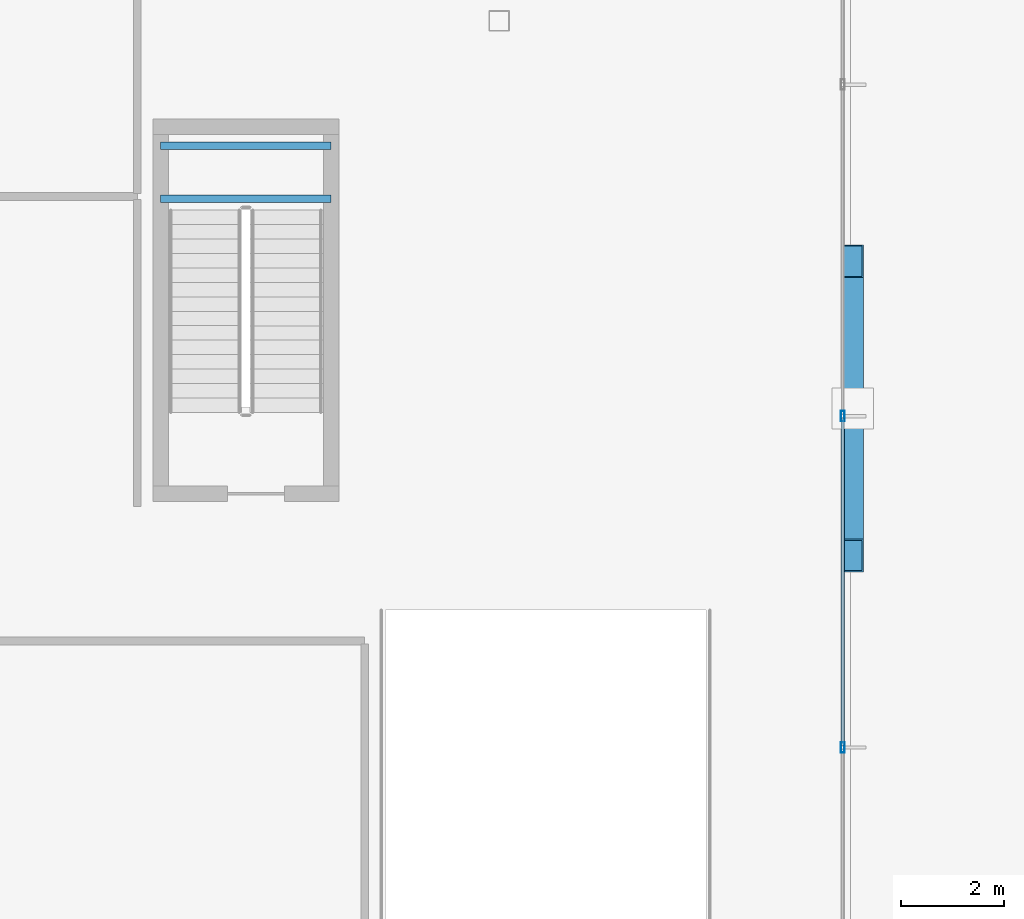
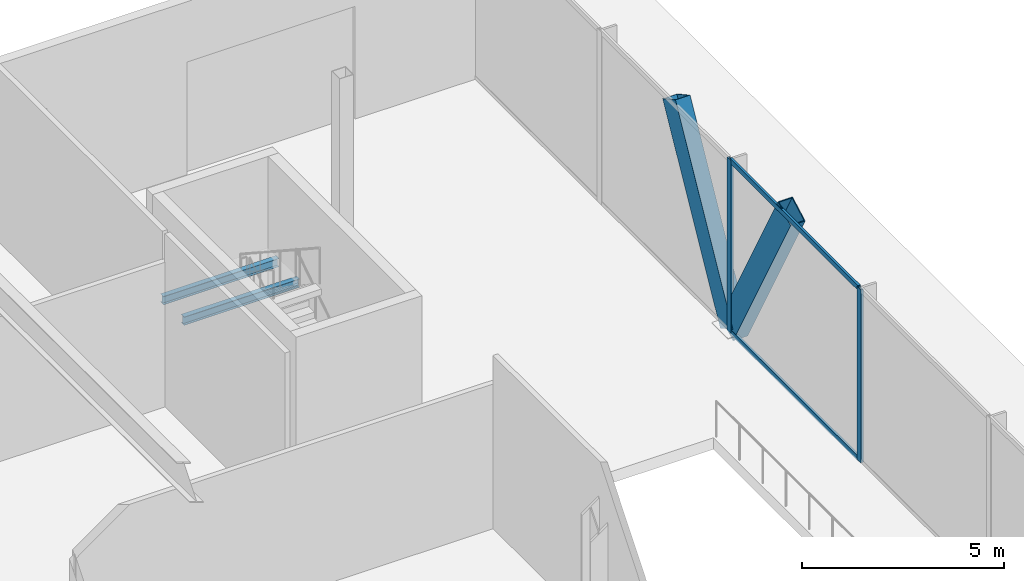
# One storey, part 22 of 38: 6 members, 2 beams, 1 element without a shape of its own.
"""IFC4 building model written with IfcOpenShell, lengths in metres."""

from ifc_helpers import new_model, si_unit, direction, frame, origin, origin_2d, place, context, subcontext, project, spatial, hollow_rectangle, i_section, extrude, material, layer, layer_set, material_profile, profile_set, type_object, element, aggregate, save


model = new_model("IFC4")

# Units and contexts
model_context = context("Model", 3, precision=1e-05, world=origin(), true_north=direction((0.0, 1.0)))
body_context = subcontext(model_context, "Body", "Model", "MODEL_VIEW")
ifc_project = project(units=[si_unit("LENGTHUNIT", "METRE"), si_unit("AREAUNIT", "SQUARE_METRE"), si_unit("VOLUMEUNIT", "CUBIC_METRE"), si_unit("PLANEANGLEUNIT", "RADIAN"), si_unit("MASSUNIT", "GRAM", prefix="KILO")], contexts=[model_context])

# Site, building, storey
site_placement = place(None, origin())
site = spatial("IfcSite", under=ifc_project, at=site_placement, CompositionType="ELEMENT")
building_placement = place(site_placement, origin())
building = spatial("IfcBuilding", under=site, at=building_placement, Name="Orvanel Arch Residences", CompositionType="ELEMENT")
storey_placement = place(building_placement, origin())
storey = spatial("IfcBuildingStorey", under=building, at=storey_placement, Name="L00", CompositionType="ELEMENT", Elevation=0.0)

# Beams
ifc_material_1 = material(Name="Structural steel AS/NZS 3679.1 Grade 300 (300 MPa)", Category="steel")
ifc_material_profile_1 = material_profile(ifc_material_1, i_section(OverallWidth=0.14599609375, OverallDepth=0.251953125, WebThickness=0.006103515625, FlangeThickness=0.008544921875, at=origin_2d()), Name="250UB31.4")
ifc_profile_set_1 = profile_set([ifc_material_profile_1], Name="Structural steel AS/NZS 3679.1 Grade 300 (300 MPa)")
beam_type = type_object("IfcBeamType", Name="BJ-250UB", PredefinedType="JOIST", material=ifc_profile_set_1)
for number, where, z_axis, x_axis, name in (
    (1, (51.25, 44.56005859375, 2.424072265625), (1.0, 0.0, 0.0), (0.0, 1.0, 0.0), "L00 ST-4 Half-Landing Support Beam 1.1"),
    (2, (51.25, 45.580078125, 2.424072265625), (1.0, 0.0, 0.0), (0.0, 1.0, 0.0), "L00 ST-4 Half-Landing Support Beam 1.2"),
):
    element("IfcBeam", number, at=place(storey_placement, frame(where, z_axis=z_axis, x_axis=x_axis)), inside=storey, type_object=beam_type, Name=name, PredefinedType="JOIST", context=body_context, shape_type="SweptSolid", body=[
        extrude(i_section(OverallWidth=0.14599609375, OverallDepth=0.251953125, WebThickness=0.006103515625, FlangeThickness=0.008544921875, at=origin_2d()), origin(), (0.0, 0.0, 1.0), 3.300048828125),
    ])

# Members
ifc_material_2 = material(Name="Structural steel AS/NZS 3678 Grade 350", Category="steel")
ifc_material_profile_2 = material_profile(ifc_material_2, hollow_rectangle(XDim=0.419921875, YDim=0.719970703125, WallThickness=0.02490234375, at=origin_2d()), Name="RHS720x420x25")
ifc_profile_set_2 = profile_set([ifc_material_profile_2], Name="Structural steel AS/NZS 3678 Grade 350")
member_type_1 = type_object("IfcMemberType", Name="BR-720RHS-EXT", PredefinedType="BRACE", material=ifc_profile_set_2)
for number, where, z_axis, x_axis, name in (
    (3, (64.639892578125, 40.5, 0.0), (0.0, -0.48010111861, 0.877213153065), (1.0, 0.0, 0.0), "L00 Podium Multi-Storey V-Strut Pair E2 Leg 1"),
    (4, (64.639892578125, 40.5, 0.0), (0.0, 0.48010111861, 0.877213153065), (-1.0, 0.0, 0.0), "L00 Podium Multi-Storey V-Strut Pair E2 Leg 2"),
):
    element("IfcMember", number, at=place(storey_placement, frame(where, z_axis=z_axis, x_axis=x_axis)), inside=storey, type_object=member_type_1, Name=name, PredefinedType="BRACE", context=body_context, shape_type="SweptSolid", body=[
        extrude(hollow_rectangle(XDim=0.419921875, YDim=0.719970703125, WallThickness=0.02490234375, at=origin_2d()), origin(), (0.0, 0.0, 1.0), 5.927734375),
    ])

# Curtain wall, members
ifc_material_3 = material(Name="Bronze-anodised aluminium AA6063-T6", Category="aluminium")
ifc_layer = layer(ifc_material_3, 0.199951171875)
ifc_layer_set = layer_set([ifc_layer], Name="Bronze-anodised aluminium AA6063-T6")
curtain_wall_type = type_object("IfcCurtainWallType", Name="CW1-POD-SYS", PredefinedType="NOTDEFINED", material=ifc_layer_set)
curtain_wall_placement = place(storey_placement, origin())
curtain_wall = element("IfcCurtainWall", 5, at=curtain_wall_placement, inside=storey, type_object=curtain_wall_type, Name="L00 CW1-POD-SYS Unitised Curtain Wall", PredefinedType="NOTDEFINED")
ifc_material_profile_3 = material_profile(ifc_material_3, hollow_rectangle(XDim=0.074951171875, YDim=0.199951171875, WallThickness=0.0048828125, at=origin_2d()), Name="ALU200x75x5")
ifc_profile_set_3 = profile_set([ifc_material_profile_3], Name="Bronze-anodised aluminium AA6063-T6")
member_type_2 = type_object("IfcMemberType", Name="MUL-200x75", PredefinedType="MULLION", material=ifc_profile_set_3)
member_1_placement = place(storey_placement, frame((64.449951171875, 33.938720703125, 0.0), z_axis=(0.0, 0.0, 1.0), x_axis=(-1.0, 0.0, 0.0)))
member_1 = element("IfcMember", 6, at=member_1_placement, type_object=member_type_2, Name="CW-S1 mullion 6", PredefinedType="MULLION", context=body_context, shape_type="SweptSolid", body=[
    extrude(hollow_rectangle(XDim=0.074951171875, YDim=0.199951171875, WallThickness=0.0048828125, at=origin_2d()), origin(), (0.0, 0.0, 1.0), 5.219970703125),
])
member_2_placement = place(storey_placement, frame((64.449951171875, 40.3525390625, 0.0), z_axis=(0.0, 0.0, 1.0), x_axis=(-1.0, 0.0, 0.0)))
member_2 = element("IfcMember", 7, at=member_2_placement, type_object=member_type_2, Name="CW-S1 mullion 7", PredefinedType="MULLION", context=body_context, shape_type="SweptSolid", body=[
    extrude(hollow_rectangle(XDim=0.074951171875, YDim=0.199951171875, WallThickness=0.0048828125, at=origin_2d()), origin(), (0.0, 0.0, 1.0), 5.219970703125),
])
ifc_material_profile_4 = material_profile(ifc_material_3, hollow_rectangle(XDim=0.06494140625, YDim=0.14990234375, WallThickness=0.00390625, at=origin_2d()), Name="ALU150x65x4")
ifc_profile_set_4 = profile_set([ifc_material_profile_4], Name="Bronze-anodised aluminium AA6063-T6")
member_type_3 = type_object("IfcMemberType", Name="TRN-150x65", PredefinedType="USERDEFINED", material=ifc_profile_set_4)
member_3_placement = place(storey_placement, frame((64.449951171875, 33.976318359375, 0.032470703125), z_axis=(0.0, 1.0, 0.0), x_axis=(-1.0, 0.0, 0.0)))
member_3 = element("IfcMember", 8, at=member_3_placement, type_object=member_type_3, Name="CW-S1 transom 6.1", ObjectType="TRANSOM", PredefinedType="USERDEFINED", context=body_context, shape_type="SweptSolid", body=[
    extrude(hollow_rectangle(XDim=0.06494140625, YDim=0.14990234375, WallThickness=0.00390625, at=origin_2d()), origin(), (0.0, 0.0, 1.0), 6.338623046875),
])
member_4_placement = place(storey_placement, frame((64.449951171875, 33.976318359375, 5.1875), z_axis=(0.0, 1.0, 0.0), x_axis=(-1.0, 0.0, 0.0)))
member_4 = element("IfcMember", 9, at=member_4_placement, type_object=member_type_3, Name="CW-S1 transom 6.2", ObjectType="TRANSOM", PredefinedType="USERDEFINED", context=body_context, shape_type="SweptSolid", body=[
    extrude(hollow_rectangle(XDim=0.06494140625, YDim=0.14990234375, WallThickness=0.00390625, at=origin_2d()), origin(), (0.0, 0.0, 1.0), 6.338623046875),
])
aggregate(curtain_wall, [member_1, member_2, member_3, member_4])

save(model, "model.ifc")
